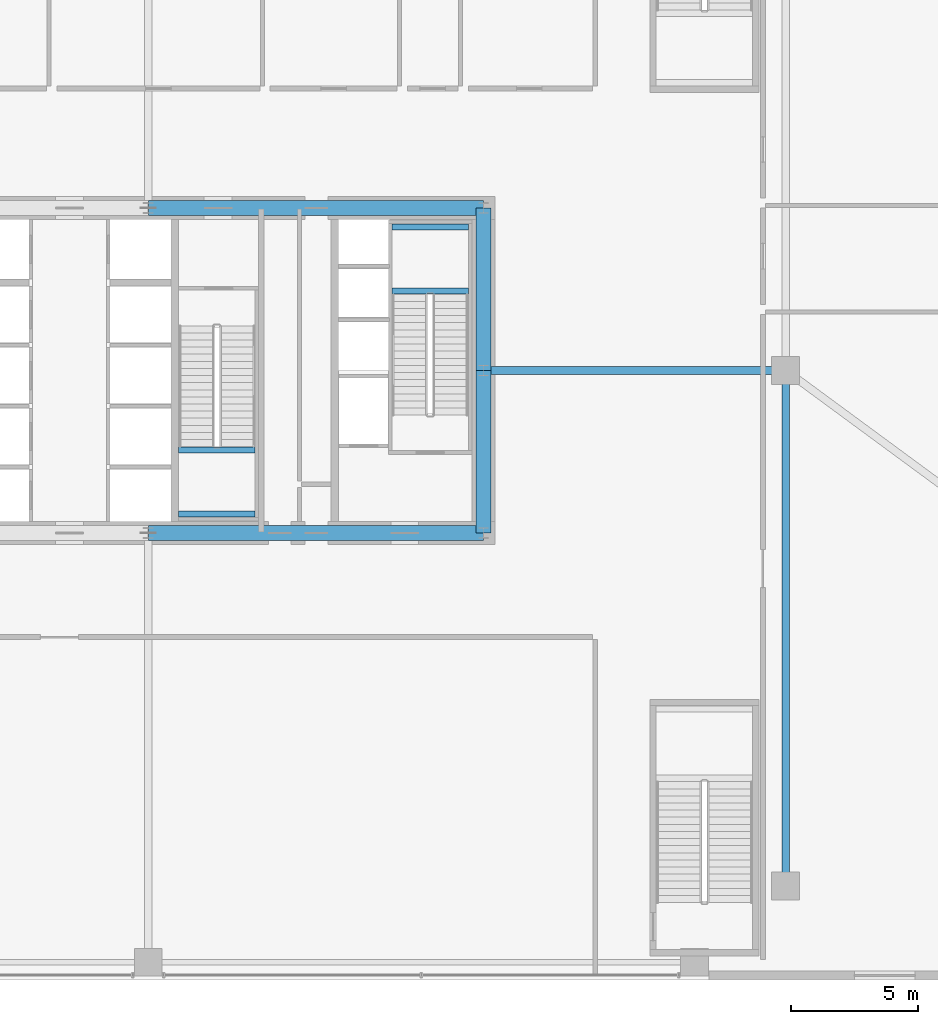
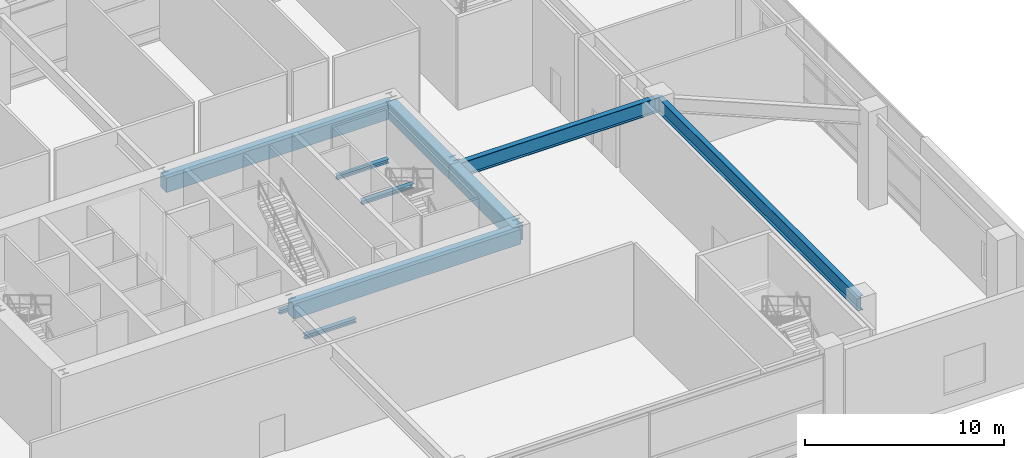
# One storey, part 16 of 39: 10 beams.
"""IFC4 building model written with IfcOpenShell, lengths in metres."""

from ifc_helpers import new_model, si_unit, direction, frame, origin, origin_2d, place, context, subcontext, project, spatial, rectangle, i_section, extrude, source, transform, mapped, material, material_profile, profile_set, type_object, element, save


model = new_model("IFC4")

# Units and contexts
model_context = context("Model", 3, precision=1e-05, world=origin(), true_north=direction((0.0, 1.0)))
body_context = subcontext(model_context, "Body", "Model", "MODEL_VIEW")
ifc_project = project(units=[si_unit("LENGTHUNIT", "METRE"), si_unit("AREAUNIT", "SQUARE_METRE"), si_unit("VOLUMEUNIT", "CUBIC_METRE"), si_unit("PLANEANGLEUNIT", "RADIAN"), si_unit("MASSUNIT", "GRAM", prefix="KILO"), si_unit("THERMODYNAMICTEMPERATUREUNIT", "KELVIN"), si_unit("POWERUNIT", "WATT")], contexts=[model_context])

# Site, building, storey
site_placement = place(None, origin())
site = spatial("IfcSite", under=ifc_project, at=site_placement, CompositionType="ELEMENT")
building_placement = place(site_placement, origin())
building = spatial("IfcBuilding", under=site, at=building_placement, Name="Yuzanri Waterfront Tower", CompositionType="ELEMENT")
storey_placement = place(building_placement, frame((0.0, 0.0, 19.800048828125)))
storey = spatial("IfcBuildingStorey", under=building, at=storey_placement, Name="L05", CompositionType="ELEMENT", Elevation=19.800048828125)

# Beams
ifc_material_1 = material(Name="Concrete C60", Category="concrete")
ifc_material_profile_1 = material_profile(ifc_material_1, rectangle(XDim=0.60009765625, YDim=0.89990234375, at=origin_2d()), Name="RC 600x900")
ifc_profile_set_1 = profile_set([ifc_material_profile_1], Name="Concrete C60")
beam_type_1 = type_object("IfcBeamType", Name="Core Coupling Lintel Concrete C60 600x900", PredefinedType="LINTEL", material=ifc_profile_set_1)
shared_shape_1 = source(origin(), body_context, "Body", "SweptSolid", [
    extrude(rectangle(XDim=0.60009765625, YDim=0.89990234375, at=origin_2d()), origin(), (0.0, 0.0, 1.0), 13.199951171875),
])
for number, where, z_axis, x_axis, name in (
    (1, (37.0, 19.39990234375, 5.22998046875), (1.0, 0.0, 0.0), (0.0, 1.0, 0.0), "L05 Core Tie Beam CS2"),
    (2, (37.0, 32.199951171875, 5.22998046875), (1.0, 0.0, 0.0), (0.0, 1.0, 0.0), "L05 Core Tie Beam CN2"),
):
    element("IfcBeam", number, at=place(storey_placement, frame(where, z_axis=z_axis, x_axis=x_axis)), inside=storey, type_object=beam_type_1, Name=name, PredefinedType="LINTEL", context=body_context, shape_type="MappedRepresentation", body=[
        mapped(shared_shape_1, transform((0.0, 0.0, 0.0), scale=1.0)),
    ])
shared_shape_2 = source(origin(), body_context, "Body", "SweptSolid", [
    extrude(rectangle(XDim=0.60009765625, YDim=0.89990234375, at=origin_2d()), origin(), (0.0, 0.0, 1.0), 6.400146484375),
])
beam_1_placement = place(storey_placement, frame((50.199951171875, 19.39990234375, 5.22998046875), z_axis=(0.0, 1.0, 0.0), x_axis=(-1.0, 0.0, 0.0)))
element("IfcBeam", 3, at=beam_1_placement, inside=storey, type_object=beam_type_1, Name="L05 Core Tie Beam CE1", PredefinedType="LINTEL", context=body_context, shape_type="MappedRepresentation", body=[
    mapped(shared_shape_2, transform((0.0, 0.0, 0.0), scale=1.0)),
])
shared_shape_3 = source(origin(), body_context, "Body", "SweptSolid", [
    extrude(rectangle(XDim=0.60009765625, YDim=0.89990234375, at=origin_2d()), origin(), (0.0, 0.0, 1.0), 6.39990234375),
])
beam_2_placement = place(storey_placement, frame((50.199951171875, 25.800048828125, 5.22998046875), z_axis=(0.0, 1.0, 0.0), x_axis=(-1.0, 0.0, 0.0)))
element("IfcBeam", 4, at=beam_2_placement, inside=storey, type_object=beam_type_1, Name="L05 Core Tie Beam CE2", PredefinedType="LINTEL", context=body_context, shape_type="MappedRepresentation", body=[
    mapped(shared_shape_3, transform((0.0, 0.0, 0.0), scale=1.0)),
])
ifc_material_2 = material(Name="Steel Q355B", Category="steel")
ifc_material_profile_2 = material_profile(ifc_material_2, i_section(OverallWidth=0.300048828125, OverallDepth=0.89990234375, WebThickness=0.01611328125, FlangeThickness=0.028076171875, at=origin_2d()), Name="HN 900x300x16x28")
ifc_profile_set_2 = profile_set([ifc_material_profile_2], Name="Steel Q355B")
beam_type_2 = type_object("IfcBeamType", Name="Primary Podium Girder Q355B HN 900x300", PredefinedType="BEAM", material=ifc_profile_set_2)
shared_shape_4 = source(origin(), body_context, "Body", "SweptSolid", [
    extrude(i_section(OverallWidth=0.300048828125, OverallDepth=0.89990234375, WebThickness=0.01611328125, FlangeThickness=0.028076171875, at=origin_2d()), origin(), (0.0, 0.0, 1.0), 11.900146484375),
])
beam_3_placement = place(storey_placement, frame((50.199951171875, 25.800048828125, 5.22998046875), z_axis=(1.0, 0.0, 0.0), x_axis=(0.0, 1.0, 0.0)))
element("IfcBeam", 5, at=beam_3_placement, inside=storey, type_object=beam_type_2, Name="L05 Podium East Girder 1", PredefinedType="BEAM", context=body_context, shape_type="MappedRepresentation", body=[
    mapped(shared_shape_4, transform((0.0, 0.0, 0.0), scale=1.0)),
])
shared_shape_5 = source(origin(), body_context, "Body", "SweptSolid", [
    extrude(i_section(OverallWidth=0.300048828125, OverallDepth=0.89990234375, WebThickness=0.01611328125, FlangeThickness=0.028076171875, at=origin_2d()), origin(), (0.0, 0.0, 1.0), 20.300048828125),
])
beam_4_placement = place(storey_placement, frame((62.10009765625, 5.5, 5.22998046875), z_axis=(0.0, 1.0, 0.0), x_axis=(-1.0, 0.0, 0.0)))
element("IfcBeam", 6, at=beam_4_placement, inside=storey, type_object=beam_type_2, Name="L05 Podium East Spine S", PredefinedType="BEAM", context=body_context, shape_type="MappedRepresentation", body=[
    mapped(shared_shape_5, transform((0.0, 0.0, 0.0), scale=1.0)),
])
ifc_material_3 = material(Name="Steel Q355B", Category="steel")
ifc_material_profile_3 = material_profile(ifc_material_3, i_section(OverallWidth=0.25, OverallDepth=0.25, WebThickness=0.009033203125, FlangeThickness=0.013916015625, at=origin_2d()), Name="HW 250x250x9x14")
ifc_profile_set_3 = profile_set([ifc_material_profile_3], Name="Steel Q355B")
beam_type_3 = type_object("IfcBeamType", Name="Stair Landing Support Beam Q355B HW 250x250", PredefinedType="BEAM", material=ifc_profile_set_3)
shared_shape_6 = source(origin(), body_context, "Body", "SweptSolid", [
    extrude(i_section(OverallWidth=0.25, OverallDepth=0.25, WebThickness=0.009033203125, FlangeThickness=0.013916015625, at=origin_2d()), origin(), (0.0, 0.0, 1.0), 3.0),
])
for number, where, z_axis, x_axis, name in (
    (7, (46.60009765625, 28.929931640625, 2.675048828125), (1.0, 0.0, 0.0), (0.0, 1.0, 0.0), "L05 Stair Landing Support Beam ST-02-L05-L1-1"),
    (8, (46.60009765625, 31.449951171875, 2.675048828125), (1.0, 0.0, 0.0), (0.0, 1.0, 0.0), "L05 Stair Landing Support Beam ST-02-L05-L1-2"),
    (9, (38.199951171875, 20.14990234375, 2.675048828125), (1.0, 0.0, 0.0), (0.0, 1.0, 0.0), "L05 Stair Landing Support Beam ST-03-L05-L1-1"),
    (10, (38.199951171875, 22.669921875, 2.675048828125), (1.0, 0.0, 0.0), (0.0, 1.0, 0.0), "L05 Stair Landing Support Beam ST-03-L05-L1-2"),
):
    element("IfcBeam", number, at=place(storey_placement, frame(where, z_axis=z_axis, x_axis=x_axis)), inside=storey, type_object=beam_type_3, Name=name, PredefinedType="BEAM", context=body_context, shape_type="MappedRepresentation", body=[
        mapped(shared_shape_6, transform((0.0, 0.0, 0.0), scale=1.0)),
    ])

save(model, "model.ifc")
